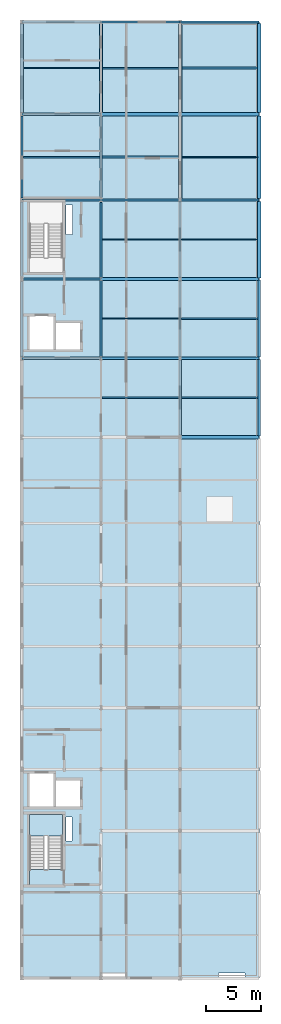
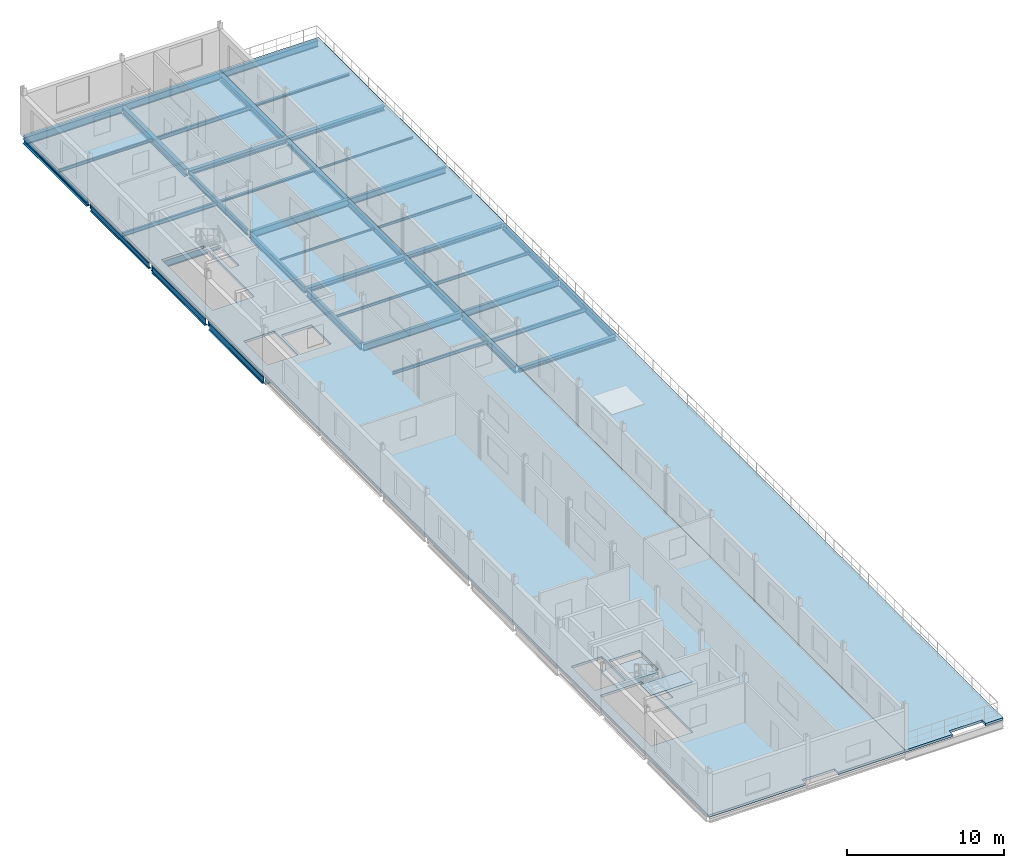
# One storey, part 6 of 14: 46 beams, 4 slabs, 1 element without a shape of its own.
"""IFC4 building model written with IfcOpenShell, lengths in metres."""

import ifcopenshell
import ifcopenshell.guid

model = None  # the IFC model being written
_history = None  # IfcOwnerHistory: only IFC2X3 demands one
_inside = {}  # id of a spatial element -> (the spatial element, [elements in it])
_under = {}  # id of a project, library or spatial element -> (it, [spatial elements below it])
_declared = {}  # id of a project -> (the project, [libraries it declares])
_typed = {}  # id of a type object -> (the type object, [elements of that type])
_made_of = {}  # id of a material, layer set ... -> (it, [elements and type objects made of it])


def new_model(schema):
    """Start an empty IFC model of exactly this schema.

    Asked for "IFC4X3", IfcOpenShell would pick the latest addendum, in which some entities
    have other attributes; the version numbers below select the first issue.
    IFC2X3 requires an IfcOwnerHistory on every rooted entity: one is made here for all.
    """
    global model, _history
    if schema == "IFC4X3":
        model = ifcopenshell.file(schema_version=(4, 3, 0, 0))
    else:
        model = ifcopenshell.file(schema=schema)
    _inside.clear()
    _under.clear()
    _declared.clear()
    _typed.clear()
    _made_of.clear()
    _history = None
    if model.schema == "IFC2X3":
        org = make("IfcOrganization", Name="unknown")
        user = make(
            "IfcPersonAndOrganization",
            ThePerson=make("IfcPerson", FamilyName="unknown"),
            TheOrganization=org,
        )
        app = make(
            "IfcApplication",
            ApplicationDeveloper=org,
            Version="unknown",
            ApplicationFullName="unknown",
            ApplicationIdentifier="unknown",
        )
        _history = make(
            "IfcOwnerHistory",
            OwningUser=user,
            OwningApplication=app,
            ChangeAction="ADDED",
            CreationDate=0,
        )
    return model


def make(cls, **values):
    """One entity of the class cls with the attributes given. An attribute that is None is left unset."""
    return model.create_entity(
        cls, **{name: value for name, value in values.items() if value is not None}
    )


def rooted(cls, **values):
    """An entity with a GlobalId (a new one), such as an element, a storey or a relation."""
    return make(cls, GlobalId=ifcopenshell.guid.new(), OwnerHistory=_history, **values)


def si_unit(unit_type, name, prefix=None):
    """IfcSIUnit, for example si_unit("LENGTHUNIT", "METRE", prefix="MILLI")."""
    return make("IfcSIUnit", UnitType=unit_type, Prefix=prefix, Name=name)


def assignment(units):
    """IfcUnitAssignment: the units of a project."""
    return None if units is None else make("IfcUnitAssignment", Units=units)


def point(xyz):
    """IfcCartesianPoint."""
    return None if xyz is None else make("IfcCartesianPoint", Coordinates=xyz)


def direction(xyz):
    """IfcDirection."""
    return None if xyz is None else make("IfcDirection", DirectionRatios=xyz)


def frame(location, z_axis=None, x_axis=None):
    """IfcAxis2Placement3D, a coordinate frame: its origin and axes. An axis left out is left unset."""
    return make(
        "IfcAxis2Placement3D",
        Location=point(location),
        Axis=direction(z_axis),
        RefDirection=direction(x_axis),
    )


def frame_2d(location, x_axis=None):
    """IfcAxis2Placement2D, a coordinate frame in the plane: its origin and x axis."""
    return make(
        "IfcAxis2Placement2D", Location=point(location), RefDirection=direction(x_axis)
    )


def origin():
    """The frame at (0, 0, 0) with its axes left unset."""
    return frame((0.0, 0.0, 0.0))


def origin_2d():
    """The frame at (0, 0) in the plane with its x axis left unset."""
    return frame_2d((0.0, 0.0))


def place(relative_to, where):
    """IfcLocalPlacement: puts the frame where relative to a parent placement (None: the world)."""
    return make(
        "IfcLocalPlacement", PlacementRelTo=relative_to, RelativePlacement=where
    )


def context(
    kind, dimensions, precision=None, world=None, true_north=None, identifier=None
):
    """IfcGeometricRepresentationContext, for example the 3D "Model" context."""
    return make(
        "IfcGeometricRepresentationContext",
        ContextIdentifier=identifier,
        ContextType=kind,
        CoordinateSpaceDimension=dimensions,
        Precision=precision,
        WorldCoordinateSystem=world,
        TrueNorth=true_north,
    )


def subcontext(parent, identifier, kind, view, scale=None):
    """IfcGeometricRepresentationSubContext, for example "Body" below "Model"."""
    return make(
        "IfcGeometricRepresentationSubContext",
        ContextIdentifier=identifier,
        ContextType=kind,
        ParentContext=parent,
        TargetScale=scale,
        TargetView=view,
    )


def project(units=None, contexts=None):
    """IfcProject with its units and contexts."""
    return rooted(
        "IfcProject",
        Name="project",
        RepresentationContexts=contexts,
        UnitsInContext=assignment(units),
    )


def spatial(cls, under=None, at=None, **own):
    """A site, building, storey or space (cls), placed at a placement, below another one or the project."""
    s = rooted(cls, ObjectPlacement=at, **own)
    if under is not None:
        _under.setdefault(under.id(), (under, []))[1].append(s)
    return s


def polyline(points):
    """IfcPolyline through the points."""
    return make("IfcPolyline", Points=[point(p) for p in points])


def profile(cls, at=None, kind="AREA", **sizes):
    """A parametric profile (cls). Its sizes go by their IFC names, for example OverallWidth=200.0."""
    return make(cls, ProfileType=kind, Position=at, **sizes)


def i_section(**sizes):
    """IfcIShapeProfileDef."""
    return profile("IfcIShapeProfileDef", **sizes)


def outline(outer, holes=None, kind="AREA"):
    """IfcArbitraryClosedProfileDef: a profile drawn as a closed curve; with holes, ...WithVoids."""
    if holes is None:
        return make("IfcArbitraryClosedProfileDef", ProfileType=kind, OuterCurve=outer)
    return make(
        "IfcArbitraryProfileDefWithVoids",
        ProfileType=kind,
        OuterCurve=outer,
        InnerCurves=holes,
    )


def extrude(swept, where, along, depth):
    """IfcExtrudedAreaSolid: the profile swept, set in the frame where, extruded along a direction by depth."""
    return make(
        "IfcExtrudedAreaSolid",
        SweptArea=swept,
        Position=where,
        ExtrudedDirection=direction(along),
        Depth=depth,
    )


def shape(context_of_items, identifier, shape_type, items):
    """IfcShapeRepresentation: the items that make up one representation, for example the "Body"."""
    return make(
        "IfcShapeRepresentation",
        ContextOfItems=context_of_items,
        RepresentationIdentifier=identifier,
        RepresentationType=shape_type,
        Items=items,
    )


def material(Name=None, Category=None):
    """IfcMaterial."""
    return make("IfcMaterial", Name=Name, Category=Category)


def layer(
    of_material, thickness, ventilated=None, Name=None, Category=None, Priority=None
):
    """IfcMaterialLayer: one layer of a wall or slab, of a material (None: an air gap)."""
    return make(
        "IfcMaterialLayer",
        Material=of_material,
        LayerThickness=thickness,
        IsVentilated=ventilated,
        Name=Name,
        Category=Category,
        Priority=Priority,
    )


def layer_set(layers, Name=None):
    """IfcMaterialLayerSet."""
    return make("IfcMaterialLayerSet", MaterialLayers=layers, LayerSetName=Name)


def material_profile(
    of_material, cross_section, Name=None, Category=None, Priority=None
):
    """IfcMaterialProfile: a cross section and its material."""
    return make(
        "IfcMaterialProfile",
        Name=Name,
        Material=of_material,
        Profile=cross_section,
        Priority=Priority,
        Category=Category,
    )


def profile_set(profiles, Name=None, composite=None):
    """IfcMaterialProfileSet."""
    return make(
        "IfcMaterialProfileSet",
        Name=Name,
        MaterialProfiles=profiles,
        CompositeProfile=composite,
    )


def made_of(thing, what):
    """Note that an element or type object is made of a material, layer set ...; save() writes the relation."""
    if what is not None:
        _made_of.setdefault(what.id(), (what, []))[1].append(thing)
    return thing


def type_object(cls, material=None, **own):
    """A type object (cls), such as IfcWallType, which elements share."""
    return made_of(rooted(cls, **own), material)


def element(
    cls,
    number,
    at=None,
    inside=None,
    cuts=None,
    type_object=None,
    material=None,
    context=None,
    identifier="Body",
    shape_type=None,
    held_by="IfcProductDefinitionShape",
    body=None,
    shapes=None,
    **own,
):
    """One element of the class cls, such as IfcWall. Its Tag is "e" and its number.

    at: its placement. inside: the storey or other place that contains it. cuts: it is an
    opening in that element (IfcRelVoidsElement). A single representation is given by context,
    identifier, shape_type and body (its items); several are given by shapes. held_by: the class
    of the entity that holds the representations. save() writes the other relations.
    """
    e = rooted(cls, Tag="e%d" % number, ObjectPlacement=at, **own)
    if body is not None:
        shapes = [shape(context, identifier, shape_type, body)]
    if shapes is not None:
        e.Representation = make(held_by, Representations=shapes)
    if inside is not None:
        _inside.setdefault(inside.id(), (inside, []))[1].append(e)
    if cuts is not None:
        rooted(
            "IfcRelVoidsElement", RelatingBuildingElement=cuts, RelatedOpeningElement=e
        )
    if type_object is not None:
        _typed.setdefault(type_object.id(), (type_object, []))[1].append(e)
    return made_of(e, material)


def aggregate(whole, parts):
    """IfcRelAggregates: a whole, such as a stair, and the parts it consists of."""
    return rooted("IfcRelAggregates", RelatingObject=whole, RelatedObjects=parts)


def save(model, path):
    """Write the relations noted so far, then the file.

    IfcRelAggregates (storeys below a building ...), IfcRelContainedInSpatialStructure (elements
    in a storey), IfcRelDefinesByType, IfcRelAssociatesMaterial and IfcRelDeclares: one each for
    every whole, place, type object, material and project.
    """
    for whole, parts in _under.values():
        aggregate(whole, parts)
    for where, things in _inside.values():
        rooted(
            "IfcRelContainedInSpatialStructure",
            RelatedElements=things,
            RelatingStructure=where,
        )
    for kind, things in _typed.values():
        rooted("IfcRelDefinesByType", RelatedObjects=things, RelatingType=kind)
    for what, things in _made_of.values():
        rooted("IfcRelAssociatesMaterial", RelatedObjects=things, RelatingMaterial=what)
    for by, libraries in _declared.values():
        rooted("IfcRelDeclares", RelatingContext=by, RelatedDefinitions=libraries)
    model.write(path)


model = new_model("IFC4")

# Units and contexts
model_context = context("Model", 3, precision=1e-05, world=origin(), true_north=direction((0.0, 1.0)))
body_context = subcontext(model_context, "Body", "Model", "MODEL_VIEW")
ifc_project = project(units=[si_unit("LENGTHUNIT", "METRE"), si_unit("AREAUNIT", "SQUARE_METRE"), si_unit("VOLUMEUNIT", "CUBIC_METRE"), si_unit("PLANEANGLEUNIT", "RADIAN"), si_unit("MASSUNIT", "GRAM", prefix="KILO")], contexts=[model_context])

# Site, building, storey
site_placement = place(None, origin())
site = spatial("IfcSite", under=ifc_project, at=site_placement, CompositionType="ELEMENT")
building_placement = place(site_placement, origin())
building = spatial("IfcBuilding", under=site, at=building_placement, Name="Vinh Khe Railworks Police Headquarters", CompositionType="ELEMENT")
storey_placement = place(building_placement, frame((0.0, 0.0, 32.699951171875)))
storey = spatial("IfcBuildingStorey", under=building, at=storey_placement, Name="L08", CompositionType="ELEMENT", Elevation=32.699951171875)

# Beams
ifc_material_1 = material(Name="Steel S355JR", Category="steel")
ifc_material_profile_1 = material_profile(ifc_material_1, i_section(OverallWidth=0.179931640625, OverallDepth=0.1708984375, WebThickness=0.006103515625, FlangeThickness=0.009521484375, FilletRadius=0.014892578125, at=origin_2d()), Name="HEA 180")
ifc_profile_set_1 = profile_set([ifc_material_profile_1], Name="Steel S355JR")
beam_type_1 = type_object("IfcBeamType", Name="Secondary Joist HEA 180", PredefinedType="JOIST", material=ifc_profile_set_1)
beam_1_placement = place(storey_placement, frame((7.89501953125, 92.10009765625, -0.265380859375), z_axis=(1.0, 0.0, 0.0), x_axis=(0.0, 1.0, 0.0)))
element("IfcBeam", 1, at=beam_1_placement, inside=storey, type_object=beam_type_1, Name="Secondary Joist JST-L08-SJ-10-0078", PredefinedType="JOIST", context=body_context, shape_type="SweptSolid", body=[
    extrude(i_section(OverallWidth=0.179931640625, OverallDepth=0.1708984375, WebThickness=0.006103515625, FlangeThickness=0.009521484375, FilletRadius=0.014892578125, at=origin_2d()), origin(), (0.0, 0.0, 1.0), 6.955078125),
])
beam_2_placement = place(storey_placement, frame((15.14990234375, 100.199951171875, -0.265380859375), z_axis=(1.0, 0.0, 0.0), x_axis=(0.0, 1.0, 0.0)))
element("IfcBeam", 2, at=beam_2_placement, inside=storey, type_object=beam_type_1, Name="Secondary Joist JST-L08-SJ-10-0086", PredefinedType="JOIST", context=body_context, shape_type="SweptSolid", body=[
    extrude(i_section(OverallWidth=0.179931640625, OverallDepth=0.1708984375, WebThickness=0.006103515625, FlangeThickness=0.009521484375, FilletRadius=0.014892578125, at=origin_2d()), origin(), (0.0, 0.0, 1.0), 6.900146484375),
])
ifc_material_profile_2 = material_profile(ifc_material_1, i_section(OverallWidth=0.08203125, OverallDepth=0.159912109375, WebThickness=0.0048828125, FlangeThickness=0.00732421875, FilletRadius=0.009033203125, at=origin_2d()), Name="IPE 160")
ifc_profile_set_2 = profile_set([ifc_material_profile_2], Name="Steel S355JR")
beam_type_2 = type_object("IfcBeamType", Name="Secondary Joist IPE 160", PredefinedType="JOIST", material=ifc_profile_set_2)
beam_3_placement = place(storey_placement, frame((7.89990234375, 84.60009765625, -0.260009765625), z_axis=(1.0, 0.0, 0.0), x_axis=(0.0, 1.0, 0.0)))
element("IfcBeam", 3, at=beam_3_placement, inside=storey, type_object=beam_type_2, Name="Secondary Joist JST-L08-SJ-08-0077", PredefinedType="JOIST", context=body_context, shape_type="SweptSolid", body=[
    extrude(i_section(OverallWidth=0.08203125, OverallDepth=0.159912109375, WebThickness=0.0048828125, FlangeThickness=0.00732421875, FilletRadius=0.009033203125, at=origin_2d()), origin(), (0.0, 0.0, 1.0), 7.005126953125),
])
beam_4_placement = place(storey_placement, frame((15.14990234375, 92.10009765625, -0.260009765625), z_axis=(1.0, 0.0, 0.0), x_axis=(0.0, 1.0, 0.0)))
element("IfcBeam", 4, at=beam_4_placement, inside=storey, type_object=beam_type_2, Name="Secondary Joist JST-L08-SJ-08-0085", PredefinedType="JOIST", context=body_context, shape_type="SweptSolid", body=[
    extrude(i_section(OverallWidth=0.08203125, OverallDepth=0.159912109375, WebThickness=0.0048828125, FlangeThickness=0.00732421875, FilletRadius=0.009033203125, at=origin_2d()), origin(), (0.0, 0.0, 1.0), 6.900146484375),
])
ifc_material_profile_3 = material_profile(ifc_material_1, i_section(OverallWidth=0.10009765625, OverallDepth=0.199951171875, WebThickness=0.005615234375, FlangeThickness=0.008544921875, FilletRadius=0.011962890625, at=origin_2d()), Name="IPE 200")
ifc_profile_set_3 = profile_set([ifc_material_profile_3], Name="Steel S355JR")
beam_type_3 = type_object("IfcBeamType", Name="Secondary Joist IPE 200", PredefinedType="JOIST", material=ifc_profile_set_3)
beam_5_placement = place(storey_placement, frame((7.905029296875, 77.39990234375, -0.280029296875), z_axis=(1.0, 0.0, 0.0), x_axis=(0.0, 1.0, 0.0)))
element("IfcBeam", 5, at=beam_5_placement, inside=storey, type_object=beam_type_3, Name="Secondary Joist JST-L08-SJ-06-0076", PredefinedType="JOIST", context=body_context, shape_type="SweptSolid", body=[
    extrude(i_section(OverallWidth=0.10009765625, OverallDepth=0.199951171875, WebThickness=0.005615234375, FlangeThickness=0.008544921875, FilletRadius=0.011962890625, at=origin_2d()), origin(), (0.0, 0.0, 1.0), 6.994873046875),
])
beam_6_placement = place(storey_placement, frame((15.094970703125, 84.60009765625, -0.280029296875), z_axis=(1.0, 0.0, 0.0), x_axis=(0.0, 1.0, 0.0)))
element("IfcBeam", 6, at=beam_6_placement, inside=storey, type_object=beam_type_3, Name="Secondary Joist JST-L08-SJ-06-0084", PredefinedType="JOIST", context=body_context, shape_type="SweptSolid", body=[
    extrude(i_section(OverallWidth=0.10009765625, OverallDepth=0.199951171875, WebThickness=0.005615234375, FlangeThickness=0.008544921875, FilletRadius=0.011962890625, at=origin_2d()), origin(), (0.0, 0.0, 1.0), 6.955078125),
])
ifc_material_profile_4 = material_profile(ifc_material_1, i_section(OverallWidth=0.1201171875, OverallDepth=0.239990234375, WebThickness=0.006103515625, FlangeThickness=0.009765625, FilletRadius=0.014892578125, at=origin_2d()), Name="IPE 240")
ifc_profile_set_4 = profile_set([ifc_material_profile_4], Name="Steel S355JR")
beam_type_4 = type_object("IfcBeamType", Name="Secondary Joist IPE 240", PredefinedType="JOIST", material=ifc_profile_set_4)
beam_7_placement = place(storey_placement, frame((0.75, 100.199951171875, -0.300048828125), z_axis=(1.0, 0.0, 0.0), x_axis=(0.0, 1.0, 0.0)))
element("IfcBeam", 7, at=beam_7_placement, inside=storey, type_object=beam_type_4, Name="Secondary Joist JST-L08-SJ-04-0072", PredefinedType="JOIST", context=body_context, shape_type="SweptSolid", body=[
    extrude(i_section(OverallWidth=0.1201171875, OverallDepth=0.239990234375, WebThickness=0.006103515625, FlangeThickness=0.009765625, FilletRadius=0.014892578125, at=origin_2d()), origin(), (0.0, 0.0, 1.0), 6.89990234375),
])
beam_8_placement = place(storey_placement, frame((7.909912109375, 70.199951171875, -0.300048828125), z_axis=(1.0, 0.0, 0.0), x_axis=(0.0, 1.0, 0.0)))
element("IfcBeam", 8, at=beam_8_placement, inside=storey, type_object=beam_type_4, Name="Secondary Joist JST-L08-SJ-04-0075", PredefinedType="JOIST", context=body_context, shape_type="SweptSolid", body=[
    extrude(i_section(OverallWidth=0.1201171875, OverallDepth=0.239990234375, WebThickness=0.006103515625, FlangeThickness=0.009765625, FilletRadius=0.014892578125, at=origin_2d()), origin(), (0.0, 0.0, 1.0), 6.985107421875),
])
beam_9_placement = place(storey_placement, frame((15.10009765625, 77.39990234375, -0.300048828125), z_axis=(1.0, 0.0, 0.0), x_axis=(0.0, 1.0, 0.0)))
element("IfcBeam", 9, at=beam_9_placement, inside=storey, type_object=beam_type_4, Name="Secondary Joist JST-L08-SJ-04-0083", PredefinedType="JOIST", context=body_context, shape_type="SweptSolid", body=[
    extrude(i_section(OverallWidth=0.1201171875, OverallDepth=0.239990234375, WebThickness=0.006103515625, FlangeThickness=0.009765625, FilletRadius=0.014892578125, at=origin_2d()), origin(), (0.0, 0.0, 1.0), 7.0048828125),
])
ifc_material_profile_5 = material_profile(ifc_material_1, i_section(OverallWidth=0.14990234375, OverallDepth=0.300048828125, WebThickness=0.007080078125, FlangeThickness=0.0107421875, FilletRadius=0.014892578125, at=origin_2d()), Name="IPE 300")
ifc_profile_set_5 = profile_set([ifc_material_profile_5], Name="Steel S355JR")
beam_type_5 = type_object("IfcBeamType", Name="Secondary Joist IPE 300", PredefinedType="JOIST", material=ifc_profile_set_5)
beam_10_placement = place(storey_placement, frame((0.699951171875, 92.10009765625, -0.329833984375), z_axis=(1.0, 0.0, 0.0), x_axis=(0.0, 1.0, 0.0)))
element("IfcBeam", 10, at=beam_10_placement, inside=storey, type_object=beam_type_5, Name="Secondary Joist JST-L08-SJ-02-0071", PredefinedType="JOIST", context=body_context, shape_type="SweptSolid", body=[
    extrude(i_section(OverallWidth=0.14990234375, OverallDepth=0.300048828125, WebThickness=0.007080078125, FlangeThickness=0.0107421875, FilletRadius=0.014892578125, at=origin_2d()), origin(), (0.0, 0.0, 1.0), 7.005126953125),
])
beam_11_placement = place(storey_placement, frame((7.949951171875, 100.199951171875, -0.329833984375), z_axis=(1.0, 0.0, 0.0), x_axis=(0.0, 1.0, 0.0)))
element("IfcBeam", 11, at=beam_11_placement, inside=storey, type_object=beam_type_5, Name="Secondary Joist JST-L08-SJ-02-0079", PredefinedType="JOIST", context=body_context, shape_type="SweptSolid", body=[
    extrude(i_section(OverallWidth=0.14990234375, OverallDepth=0.300048828125, WebThickness=0.007080078125, FlangeThickness=0.0107421875, FilletRadius=0.014892578125, at=origin_2d()), origin(), (0.0, 0.0, 1.0), 6.900146484375),
])
beam_12_placement = place(storey_placement, frame((15.10498046875, 70.199951171875, -0.329833984375), z_axis=(1.0, 0.0, 0.0), x_axis=(0.0, 1.0, 0.0)))
element("IfcBeam", 12, at=beam_12_placement, inside=storey, type_object=beam_type_5, Name="Secondary Joist JST-L08-SJ-02-0082", PredefinedType="JOIST", context=body_context, shape_type="SweptSolid", body=[
    extrude(i_section(OverallWidth=0.14990234375, OverallDepth=0.300048828125, WebThickness=0.007080078125, FlangeThickness=0.0107421875, FilletRadius=0.014892578125, at=origin_2d()), origin(), (0.0, 0.0, 1.0), 6.9951171875),
])
ifc_material_profile_6 = material_profile(ifc_material_1, i_section(OverallWidth=0.300048828125, OverallDepth=0.330078125, WebThickness=0.009521484375, FlangeThickness=0.0166015625, FilletRadius=0.027099609375, at=origin_2d()), Name="HEA 340")
ifc_profile_set_6 = profile_set([ifc_material_profile_6], Name="Steel S355JR")
beam_type_6 = type_object("IfcBeamType", Name="Steel Girder HEA 340", PredefinedType="BEAM", material=ifc_profile_set_6)
for number, where, z_axis, x_axis, name in (
    (13, (15.02001953125, 66.60009765625, -0.344970703125), (1.0, 0.0, 0.0), (0.0, 1.0, 0.0), "Girder BM-L08-EW-SB-16-1958"),
    (14, (15.02001953125, 81.0, -0.344970703125), (1.0, 0.0, 0.0), (0.0, 1.0, 0.0), "Girder BM-L08-EW-SB-16-1964"),
    (15, (15.02001953125, 96.0, -0.344970703125), (1.0, 0.0, 0.0), (0.0, 1.0, 0.0), "Girder BM-L08-EW-SB-16-1970"),
):
    element("IfcBeam", number, at=place(storey_placement, frame(where, z_axis=z_axis, x_axis=x_axis)), inside=storey, type_object=beam_type_6, Name=name, PredefinedType="BEAM", context=body_context, shape_type="SweptSolid", body=[
        extrude(i_section(OverallWidth=0.300048828125, OverallDepth=0.330078125, WebThickness=0.009521484375, FlangeThickness=0.0166015625, FilletRadius=0.027099609375, at=origin_2d()), origin(), (0.0, 0.0, 1.0), 7.159912109375),
    ])
beam_13_placement = place(storey_placement, frame((22.199951171875, 88.35498046875, -0.344970703125), z_axis=(0.0, 1.0, 0.0), x_axis=(-1.0, 0.0, 0.0)))
element("IfcBeam", 16, at=beam_13_placement, inside=storey, type_object=beam_type_6, Name="Girder BM-L08-NS-SB-16-2024", PredefinedType="BEAM", context=body_context, shape_type="SweptSolid", body=[
    extrude(i_section(OverallWidth=0.300048828125, OverallDepth=0.330078125, WebThickness=0.009521484375, FlangeThickness=0.0166015625, FilletRadius=0.027099609375, at=origin_2d()), origin(), (0.0, 0.0, 1.0), 7.5),
])
ifc_material_profile_7 = material_profile(ifc_material_1, i_section(OverallWidth=0.300048828125, OverallDepth=0.35009765625, WebThickness=0.010009765625, FlangeThickness=0.017578125, FilletRadius=0.027099609375, at=origin_2d()), Name="HEA 360")
ifc_profile_set_7 = profile_set([ifc_material_profile_7], Name="Steel S355JR")
beam_type_7 = type_object("IfcBeamType", Name="Steel Girder HEA 360", PredefinedType="BEAM", material=ifc_profile_set_7)
for number, where, z_axis, x_axis, name in (
    (17, (7.820068359375, 81.0, -0.35498046875), (1.0, 0.0, 0.0), (0.0, 1.0, 0.0), "Girder BM-L08-EW-SB-15-1963"),
    (18, (7.820068359375, 96.0, -0.35498046875), (1.0, 0.0, 0.0), (0.0, 1.0, 0.0), "Girder BM-L08-EW-SB-15-1969"),
):
    element("IfcBeam", number, at=place(storey_placement, frame(where, z_axis=z_axis, x_axis=x_axis)), inside=storey, type_object=beam_type_7, Name=name, PredefinedType="BEAM", context=body_context, shape_type="SweptSolid", body=[
        extrude(i_section(OverallWidth=0.300048828125, OverallDepth=0.35009765625, WebThickness=0.010009765625, FlangeThickness=0.017578125, FilletRadius=0.027099609375, at=origin_2d()), origin(), (0.0, 0.0, 1.0), 7.159912109375),
    ])
beam_14_placement = place(storey_placement, frame((0.60009765625, 96.175048828125, -0.35498046875), z_axis=(0.0, 1.0, 0.0), x_axis=(-1.0, 0.0, 0.0)))
element("IfcBeam", 19, at=beam_14_placement, inside=storey, type_object=beam_type_7, Name="Girder BM-L08-NS-SB-15-1986", PredefinedType="BEAM", context=body_context, shape_type="SweptSolid", body=[
    extrude(i_section(OverallWidth=0.300048828125, OverallDepth=0.35009765625, WebThickness=0.010009765625, FlangeThickness=0.017578125, FilletRadius=0.027099609375, at=origin_2d()), origin(), (0.0, 0.0, 1.0), 8.094970703125),
])
beam_15_placement = place(storey_placement, frame((15.0, 88.31005859375, -0.35498046875), z_axis=(0.0, 1.0, 0.0), x_axis=(-1.0, 0.0, 0.0)))
element("IfcBeam", 20, at=beam_15_placement, inside=storey, type_object=beam_type_7, Name="Girder BM-L08-NS-SB-15-2011", PredefinedType="BEAM", context=body_context, shape_type="SweptSolid", body=[
    extrude(i_section(OverallWidth=0.300048828125, OverallDepth=0.35009765625, WebThickness=0.010009765625, FlangeThickness=0.017578125, FilletRadius=0.027099609375, at=origin_2d()), origin(), (0.0, 0.0, 1.0), 7.46484375),
])
beam_16_placement = place(storey_placement, frame((22.199951171875, 81.094970703125, -0.35498046875), z_axis=(0.0, 1.0, 0.0), x_axis=(-1.0, 0.0, 0.0)))
element("IfcBeam", 21, at=beam_16_placement, inside=storey, type_object=beam_type_7, Name="Girder BM-L08-NS-SB-15-2023", PredefinedType="BEAM", context=body_context, shape_type="SweptSolid", body=[
    extrude(i_section(OverallWidth=0.300048828125, OverallDepth=0.35009765625, WebThickness=0.010009765625, FlangeThickness=0.017578125, FilletRadius=0.027099609375, at=origin_2d()), origin(), (0.0, 0.0, 1.0), 6.949951171875),
])
ifc_material_profile_8 = material_profile(ifc_material_1, i_section(OverallWidth=0.300048828125, OverallDepth=0.489990234375, WebThickness=0.011962890625, FlangeThickness=0.02294921875, FilletRadius=0.027099609375, at=origin_2d()), Name="HEA 500")
ifc_profile_set_8 = profile_set([ifc_material_profile_8], Name="Steel S355JR")
beam_type_8 = type_object("IfcBeamType", Name="Steel Girder HEA 500", PredefinedType="BEAM", material=ifc_profile_set_8)
beam_17_placement = place(storey_placement, frame((22.199951171875, 96.14501953125, -0.425048828125), z_axis=(0.0, 1.0, 0.0), x_axis=(-1.0, 0.0, 0.0)))
element("IfcBeam", 22, at=beam_17_placement, inside=storey, type_object=beam_type_8, Name="Girder BM-L08-NS-SB-12-2025", PredefinedType="BEAM", context=body_context, shape_type="SweptSolid", body=[
    extrude(i_section(OverallWidth=0.300048828125, OverallDepth=0.489990234375, WebThickness=0.011962890625, FlangeThickness=0.02294921875, FilletRadius=0.027099609375, at=origin_2d()), origin(), (0.0, 0.0, 1.0), 8.1298828125),
])
ifc_material_profile_9 = material_profile(ifc_material_1, i_section(OverallWidth=0.300048828125, OverallDepth=0.5400390625, WebThickness=0.012451171875, FlangeThickness=0.02392578125, FilletRadius=0.027099609375, at=origin_2d()), Name="HEA 550")
ifc_profile_set_9 = profile_set([ifc_material_profile_9], Name="Steel S355JR")
beam_type_9 = type_object("IfcBeamType", Name="Steel Girder HEA 550", PredefinedType="BEAM", material=ifc_profile_set_9)
beam_18_placement = place(storey_placement, frame((15.0, 96.22509765625, -0.449951171875), z_axis=(0.0, 1.0, 0.0), x_axis=(-1.0, 0.0, 0.0)))
element("IfcBeam", 23, at=beam_18_placement, inside=storey, type_object=beam_type_9, Name="Girder BM-L08-NS-SB-11-2012", PredefinedType="BEAM", context=body_context, shape_type="SweptSolid", body=[
    extrude(i_section(OverallWidth=0.300048828125, OverallDepth=0.5400390625, WebThickness=0.012451171875, FlangeThickness=0.02392578125, FilletRadius=0.027099609375, at=origin_2d()), origin(), (0.0, 0.0, 1.0), 7.974853515625),
])
ifc_material_profile_10 = material_profile(ifc_material_1, i_section(OverallWidth=0.300048828125, OverallDepth=0.590087890625, WebThickness=0.012939453125, FlangeThickness=0.02490234375, FilletRadius=0.027099609375, at=origin_2d()), Name="HEA 600")
ifc_profile_set_10 = profile_set([ifc_material_profile_10], Name="Steel S355JR")
beam_type_10 = type_object("IfcBeamType", Name="Steel Girder HEA 600", PredefinedType="BEAM", material=ifc_profile_set_10)
beam_19_placement = place(storey_placement, frame((7.800048828125, 96.199951171875, -0.474853515625), z_axis=(0.0, 1.0, 0.0), x_axis=(-1.0, 0.0, 0.0)))
element("IfcBeam", 24, at=beam_19_placement, inside=storey, type_object=beam_type_10, Name="Girder BM-L08-NS-SB-10-1999", PredefinedType="BEAM", context=body_context, shape_type="SweptSolid", body=[
    extrude(i_section(OverallWidth=0.300048828125, OverallDepth=0.590087890625, WebThickness=0.012939453125, FlangeThickness=0.02490234375, FilletRadius=0.027099609375, at=origin_2d()), origin(), (0.0, 0.0, 1.0), 8.025146484375),
])
ifc_material_profile_11 = material_profile(ifc_material_1, i_section(OverallWidth=0.18994140625, OverallDepth=0.449951171875, WebThickness=0.009521484375, FlangeThickness=0.0146484375, FilletRadius=0.02099609375, at=origin_2d()), Name="IPE 450")
ifc_profile_set_11 = profile_set([ifc_material_profile_11], Name="Steel S355JR")
beam_type_11 = type_object("IfcBeamType", Name="Steel Girder IPE 450", PredefinedType="BEAM", material=ifc_profile_set_11)
for number, where, z_axis, x_axis, name in (
    (25, (0.6201171875, 81.0, -0.405029296875), (1.0, 0.0, 0.0), (0.0, 1.0, 0.0), "Girder BM-L08-EW-SB-20-1962"),
    (26, (0.6201171875, 96.0, -0.405029296875), (1.0, 0.0, 0.0), (0.0, 1.0, 0.0), "Girder BM-L08-EW-SB-20-1968"),
):
    element("IfcBeam", number, at=place(storey_placement, frame(where, z_axis=z_axis, x_axis=x_axis)), inside=storey, type_object=beam_type_11, Name=name, PredefinedType="BEAM", context=body_context, shape_type="SweptSolid", body=[
        extrude(i_section(OverallWidth=0.18994140625, OverallDepth=0.449951171875, WebThickness=0.009521484375, FlangeThickness=0.0146484375, FilletRadius=0.02099609375, at=origin_2d()), origin(), (0.0, 0.0, 1.0), 7.159912109375),
    ])
beam_20_placement = place(storey_placement, frame((7.800048828125, 88.425048828125, -0.405029296875), z_axis=(0.0, 1.0, 0.0), x_axis=(-1.0, 0.0, 0.0)))
element("IfcBeam", 27, at=beam_20_placement, inside=storey, type_object=beam_type_11, Name="Girder BM-L08-NS-SB-20-1998", PredefinedType="BEAM", context=body_context, shape_type="SweptSolid", body=[
    extrude(i_section(OverallWidth=0.18994140625, OverallDepth=0.449951171875, WebThickness=0.009521484375, FlangeThickness=0.0146484375, FilletRadius=0.02099609375, at=origin_2d()), origin(), (0.0, 0.0, 1.0), 7.375),
])
beam_21_placement = place(storey_placement, frame((15.0, 81.1298828125, -0.405029296875), z_axis=(0.0, 1.0, 0.0), x_axis=(-1.0, 0.0, 0.0)))
element("IfcBeam", 28, at=beam_21_placement, inside=storey, type_object=beam_type_11, Name="Girder BM-L08-NS-SB-20-2010", PredefinedType="BEAM", context=body_context, shape_type="SweptSolid", body=[
    extrude(i_section(OverallWidth=0.18994140625, OverallDepth=0.449951171875, WebThickness=0.009521484375, FlangeThickness=0.0146484375, FilletRadius=0.02099609375, at=origin_2d()), origin(), (0.0, 0.0, 1.0), 6.960205078125),
])
beam_22_placement = place(storey_placement, frame((22.199951171875, 73.9150390625, -0.405029296875), z_axis=(0.0, 1.0, 0.0), x_axis=(-1.0, 0.0, 0.0)))
element("IfcBeam", 29, at=beam_22_placement, inside=storey, type_object=beam_type_11, Name="Girder BM-L08-NS-SB-20-2022", PredefinedType="BEAM", context=body_context, shape_type="SweptSolid", body=[
    extrude(i_section(OverallWidth=0.18994140625, OverallDepth=0.449951171875, WebThickness=0.009521484375, FlangeThickness=0.0146484375, FilletRadius=0.02099609375, at=origin_2d()), origin(), (0.0, 0.0, 1.0), 6.989990234375),
])
ifc_material_profile_12 = material_profile(ifc_material_1, i_section(OverallWidth=0.199951171875, OverallDepth=0.5, WebThickness=0.01025390625, FlangeThickness=0.01611328125, FilletRadius=0.02099609375, at=origin_2d()), Name="IPE 500")
ifc_profile_set_12 = profile_set([ifc_material_profile_12], Name="Steel S355JR")
beam_type_12 = type_object("IfcBeamType", Name="Steel Girder IPE 500", PredefinedType="BEAM", material=ifc_profile_set_12)
for number, where, z_axis, x_axis, name in (
    (30, (15.02001953125, 73.800048828125, -0.429931640625), (1.0, 0.0, 0.0), (0.0, 1.0, 0.0), "Girder BM-L08-EW-SB-19-1961"),
    (31, (15.02001953125, 88.199951171875, -0.429931640625), (1.0, 0.0, 0.0), (0.0, 1.0, 0.0), "Girder BM-L08-EW-SB-19-1967"),
    (32, (15.02001953125, 104.39990234375, -0.429931640625), (1.0, 0.0, 0.0), (0.0, 1.0, 0.0), "Girder BM-L08-EW-SB-19-1973"),
):
    element("IfcBeam", number, at=place(storey_placement, frame(where, z_axis=z_axis, x_axis=x_axis)), inside=storey, type_object=beam_type_12, Name=name, PredefinedType="BEAM", context=body_context, shape_type="SweptSolid", body=[
        extrude(i_section(OverallWidth=0.199951171875, OverallDepth=0.5, WebThickness=0.01025390625, FlangeThickness=0.01611328125, FilletRadius=0.02099609375, at=origin_2d()), origin(), (0.0, 0.0, 1.0), 7.159912109375),
    ])
beam_23_placement = place(storey_placement, frame((0.60009765625, 88.39990234375, -0.429931640625), z_axis=(0.0, 1.0, 0.0), x_axis=(-1.0, 0.0, 0.0)))
element("IfcBeam", 33, at=beam_23_placement, inside=storey, type_object=beam_type_12, Name="Girder BM-L08-NS-SB-19-1985", PredefinedType="BEAM", context=body_context, shape_type="SweptSolid", body=[
    extrude(i_section(OverallWidth=0.199951171875, OverallDepth=0.5, WebThickness=0.01025390625, FlangeThickness=0.01611328125, FilletRadius=0.02099609375, at=origin_2d()), origin(), (0.0, 0.0, 1.0), 7.425048828125),
])
beam_24_placement = place(storey_placement, frame((7.800048828125, 81.110107421875, -0.429931640625), z_axis=(0.0, 1.0, 0.0), x_axis=(-1.0, 0.0, 0.0)))
element("IfcBeam", 34, at=beam_24_placement, inside=storey, type_object=beam_type_12, Name="Girder BM-L08-NS-SB-19-1997", PredefinedType="BEAM", context=body_context, shape_type="SweptSolid", body=[
    extrude(i_section(OverallWidth=0.199951171875, OverallDepth=0.5, WebThickness=0.01025390625, FlangeThickness=0.01611328125, FilletRadius=0.02099609375, at=origin_2d()), origin(), (0.0, 0.0, 1.0), 6.864990234375),
])
beam_25_placement = place(storey_placement, frame((15.0, 73.97509765625, -0.429931640625), z_axis=(0.0, 1.0, 0.0), x_axis=(-1.0, 0.0, 0.0)))
element("IfcBeam", 35, at=beam_25_placement, inside=storey, type_object=beam_type_12, Name="Girder BM-L08-NS-SB-19-2009", PredefinedType="BEAM", context=body_context, shape_type="SweptSolid", body=[
    extrude(i_section(OverallWidth=0.199951171875, OverallDepth=0.5, WebThickness=0.01025390625, FlangeThickness=0.01611328125, FilletRadius=0.02099609375, at=origin_2d()), origin(), (0.0, 0.0, 1.0), 6.89501953125),
])
beam_26_placement = place(storey_placement, frame((22.199951171875, 66.72509765625, -0.429931640625), z_axis=(0.0, 1.0, 0.0), x_axis=(-1.0, 0.0, 0.0)))
element("IfcBeam", 36, at=beam_26_placement, inside=storey, type_object=beam_type_12, Name="Girder BM-L08-NS-SB-19-2021", PredefinedType="BEAM", context=body_context, shape_type="SweptSolid", body=[
    extrude(i_section(OverallWidth=0.199951171875, OverallDepth=0.5, WebThickness=0.01025390625, FlangeThickness=0.01611328125, FilletRadius=0.02099609375, at=origin_2d()), origin(), (0.0, 0.0, 1.0), 6.9599609375),
])
ifc_material_profile_13 = material_profile(ifc_material_1, i_section(OverallWidth=0.2099609375, OverallDepth=0.550048828125, WebThickness=0.010986328125, FlangeThickness=0.01708984375, FilletRadius=0.02392578125, at=origin_2d()), Name="IPE 550")
ifc_profile_set_13 = profile_set([ifc_material_profile_13], Name="Steel S355JR")
beam_type_13 = type_object("IfcBeamType", Name="Steel Girder IPE 550", PredefinedType="BEAM", material=ifc_profile_set_13)
for number, where, z_axis, x_axis, name in (
    (37, (7.820068359375, 73.800048828125, -0.454833984375), (1.0, 0.0, 0.0), (0.0, 1.0, 0.0), "Girder BM-L08-EW-SB-18-1960"),
    (38, (7.820068359375, 88.199951171875, -0.454833984375), (1.0, 0.0, 0.0), (0.0, 1.0, 0.0), "Girder BM-L08-EW-SB-18-1966"),
    (39, (7.820068359375, 104.39990234375, -0.454833984375), (1.0, 0.0, 0.0), (0.0, 1.0, 0.0), "Girder BM-L08-EW-SB-18-1972"),
):
    element("IfcBeam", number, at=place(storey_placement, frame(where, z_axis=z_axis, x_axis=x_axis)), inside=storey, type_object=beam_type_13, Name=name, PredefinedType="BEAM", context=body_context, shape_type="SweptSolid", body=[
        extrude(i_section(OverallWidth=0.2099609375, OverallDepth=0.550048828125, WebThickness=0.010986328125, FlangeThickness=0.01708984375, FilletRadius=0.02392578125, at=origin_2d()), origin(), (0.0, 0.0, 1.0), 7.159912109375),
    ])
beam_27_placement = place(storey_placement, frame((0.60009765625, 81.22509765625, -0.454833984375), z_axis=(0.0, 1.0, 0.0), x_axis=(-1.0, 0.0, 0.0)))
element("IfcBeam", 40, at=beam_27_placement, inside=storey, type_object=beam_type_13, Name="Girder BM-L08-NS-SB-18-1984", PredefinedType="BEAM", context=body_context, shape_type="SweptSolid", body=[
    extrude(i_section(OverallWidth=0.2099609375, OverallDepth=0.550048828125, WebThickness=0.010986328125, FlangeThickness=0.01708984375, FilletRadius=0.02392578125, at=origin_2d()), origin(), (0.0, 0.0, 1.0), 6.77490234375),
])
beam_28_placement = place(storey_placement, frame((7.800048828125, 73.929931640625, -0.454833984375), z_axis=(0.0, 1.0, 0.0), x_axis=(-1.0, 0.0, 0.0)))
element("IfcBeam", 41, at=beam_28_placement, inside=storey, type_object=beam_type_13, Name="Girder BM-L08-NS-SB-18-1996", PredefinedType="BEAM", context=body_context, shape_type="SweptSolid", body=[
    extrude(i_section(OverallWidth=0.2099609375, OverallDepth=0.550048828125, WebThickness=0.010986328125, FlangeThickness=0.01708984375, FilletRadius=0.02392578125, at=origin_2d()), origin(), (0.0, 0.0, 1.0), 6.9599609375),
])
beam_29_placement = place(storey_placement, frame((15.0, 66.800048828125, -0.454833984375), z_axis=(0.0, 1.0, 0.0), x_axis=(-1.0, 0.0, 0.0)))
element("IfcBeam", 42, at=beam_29_placement, inside=storey, type_object=beam_type_13, Name="Girder BM-L08-NS-SB-18-2008", PredefinedType="BEAM", context=body_context, shape_type="SweptSolid", body=[
    extrude(i_section(OverallWidth=0.2099609375, OverallDepth=0.550048828125, WebThickness=0.010986328125, FlangeThickness=0.01708984375, FilletRadius=0.02392578125, at=origin_2d()), origin(), (0.0, 0.0, 1.0), 6.824951171875),
])
ifc_material_profile_14 = material_profile(ifc_material_1, i_section(OverallWidth=0.219970703125, OverallDepth=0.60009765625, WebThickness=0.011962890625, FlangeThickness=0.01904296875, FilletRadius=0.02392578125, at=origin_2d()), Name="IPE 600")
ifc_profile_set_14 = profile_set([ifc_material_profile_14], Name="Steel S355JR")
beam_type_14 = type_object("IfcBeamType", Name="Steel Girder IPE 600", PredefinedType="BEAM", material=ifc_profile_set_14)
for number, where, z_axis, x_axis, name in (
    (43, (0.6201171875, 73.800048828125, -0.47998046875), (1.0, 0.0, 0.0), (0.0, 1.0, 0.0), "Girder BM-L08-EW-SB-17-1959"),
    (44, (0.6201171875, 88.199951171875, -0.47998046875), (1.0, 0.0, 0.0), (0.0, 1.0, 0.0), "Girder BM-L08-EW-SB-17-1965"),
    (45, (0.6201171875, 104.39990234375, -0.47998046875), (1.0, 0.0, 0.0), (0.0, 1.0, 0.0), "Girder BM-L08-EW-SB-17-1971"),
):
    element("IfcBeam", number, at=place(storey_placement, frame(where, z_axis=z_axis, x_axis=x_axis)), inside=storey, type_object=beam_type_14, Name=name, PredefinedType="BEAM", context=body_context, shape_type="SweptSolid", body=[
        extrude(i_section(OverallWidth=0.219970703125, OverallDepth=0.60009765625, WebThickness=0.011962890625, FlangeThickness=0.01904296875, FilletRadius=0.02392578125, at=origin_2d()), origin(), (0.0, 0.0, 1.0), 7.159912109375),
    ])
beam_30_placement = place(storey_placement, frame((0.60009765625, 73.909912109375, -0.47998046875), z_axis=(0.0, 1.0, 0.0), x_axis=(-1.0, 0.0, 0.0)))
element("IfcBeam", 46, at=beam_30_placement, inside=storey, type_object=beam_type_14, Name="Girder BM-L08-NS-SB-17-1983", PredefinedType="BEAM", context=body_context, shape_type="SweptSolid", body=[
    extrude(i_section(OverallWidth=0.219970703125, OverallDepth=0.60009765625, WebThickness=0.011962890625, FlangeThickness=0.01904296875, FilletRadius=0.02392578125, at=origin_2d()), origin(), (0.0, 0.0, 1.0), 6.864990234375),
])

# Slab
ifc_material_2 = material(Name="Concrete C35/45 (B35)", Category="concrete")
ifc_layer_1 = layer(ifc_material_2, 0.179931640625)
ifc_layer_set_1 = layer_set([ifc_layer_1], Name="Concrete C35/45 (B35)")
slab_type_1 = type_object("IfcSlabType", Name="Flat Structural Roof Slab 180", PredefinedType="ROOF", material=ifc_layer_set_1)
slab_1_placement = place(storey_placement, frame((0.0, 0.0, -0.179931640625)))
element("IfcSlab", 47, at=slab_1_placement, inside=storey, type_object=slab_type_1, Name="V5-E-TERR Roof Slab (L08)", PredefinedType="ROOF", context=body_context, shape_type="SweptSolid", body=[
    extrude(outline(polyline([(15.010009765625, 17.39990234375), (18.5048828125, 17.39990234375), (18.5048828125, 17.85009765625), (20.905029296875, 17.85009765625), (20.905029296875, 17.39990234375), (22.199951171875, 17.39990234375), (22.199951171875, 104.39990234375), (15.010009765625, 104.39990234375), (15.010009765625, 17.39990234375)])), origin(), (0.0, 0.0, 1.0), 0.179931640625),
])

# Stair, slabs
ifc_material_3 = material(Name="Precast concrete C40/50 (B40)", Category="concrete")
stair_type = type_object("IfcStairType", Name="ST-CORE-DOGLEG", PredefinedType="HALF_TURN_STAIR", material=ifc_material_3)
stair_placement = place(storey_placement, origin())
stair = element("IfcStair", 48, at=stair_placement, inside=storey, type_object=stair_type, Name="L08 Escape Stair ST-01", PredefinedType="HALF_TURN_STAIR")
ifc_layer_2 = layer(ifc_material_2, 0.199951171875)
ifc_layer_set_2 = layer_set([ifc_layer_2], Name="Concrete C35/45 (B35)")
slab_type_2 = type_object("IfcSlabType", Name="SLB-LAND-200", PredefinedType="LANDING", material=ifc_layer_set_2)
slab_2_placement = place(storey_placement, frame((0.0, 0.0, 1.75)))
slab_2 = element("IfcSlab", 49, at=slab_2_placement, type_object=slab_type_2, Name="ST-01 landing 1", PredefinedType="LANDING", context=body_context, shape_type="SweptSolid", body=[
    extrude(outline(polyline([(4.300048828125, 30.330078125), (4.300048828125, 32.300048828125), (1.300048828125, 32.300048828125), (1.300048828125, 30.330078125), (4.300048828125, 30.330078125)])), origin(), (0.0, 0.0, 1.0), 0.199951171875),
])
slab_3_placement = place(storey_placement, frame((0.0, 0.0, 3.699951171875)))
slab_3 = element("IfcSlab", 50, at=slab_3_placement, type_object=slab_type_2, Name="ST-01 landing 2", PredefinedType="LANDING", context=body_context, shape_type="SweptSolid", body=[
    extrude(outline(polyline([(1.280029296875, 25.8798828125), (4.320068359375, 25.8798828125), (4.320068359375, 27.260009765625), (1.280029296875, 27.260009765625), (1.280029296875, 25.8798828125)])), origin(), (0.0, 0.0, 1.0), 0.2001953125),
])
aggregate(stair, [slab_2, slab_3])

# Slab
ifc_layer_3 = layer(ifc_material_2, 0.179931640625)
ifc_layer_set_3 = layer_set([ifc_layer_3], Name="Concrete C35/45 (B35)")
slab_type_3 = type_object("IfcSlabType", Name="Suspended Floor Slab 180", PredefinedType="FLOOR", material=ifc_layer_set_3)
slab_4_placement = place(storey_placement, frame((0.0, 0.0, -0.179931640625)))
element("IfcSlab", 51, at=slab_4_placement, inside=storey, type_object=slab_type_3, Name="V5 Floor Slab (L08)", PredefinedType="FLOOR", context=body_context, shape_type="SweptSolid", body=[
    extrude(outline(polyline([(0.60009765625, 17.39990234375), (7.699951171875, 17.39990234375), (7.699951171875, 17.85009765625), (10.10009765625, 17.85009765625), (10.10009765625, 17.39990234375), (15.0, 17.39990234375), (15.0, 104.39990234375), (0.60009765625, 104.39990234375), (0.60009765625, 17.39990234375)]), holes=[polyline([(1.27001953125, 25.8701171875), (4.330078125, 25.8701171875), (4.330078125, 32.330078125), (1.27001953125, 32.330078125), (1.27001953125, 25.8701171875)]), polyline([(1.280029296875, 32.97998046875), (3.52001953125, 32.97998046875), (3.52001953125, 36.02001953125), (1.280029296875, 36.02001953125), (1.280029296875, 32.97998046875)]), polyline([(3.679931640625, 32.97998046875), (5.919921875, 32.97998046875), (5.919921875, 35.419921875), (3.679931640625, 35.419921875), (3.679931640625, 32.97998046875)]), polyline([(1.27001953125, 81.570068359375), (4.330078125, 81.570068359375), (4.330078125, 88.030029296875), (1.27001953125, 88.030029296875), (1.27001953125, 81.570068359375)]), polyline([(1.280029296875, 74.580078125), (3.52001953125, 74.580078125), (3.52001953125, 77.6201171875), (1.280029296875, 77.6201171875), (1.280029296875, 74.580078125)]), polyline([(3.679931640625, 74.580078125), (5.919921875, 74.580078125), (5.919921875, 77.02001953125), (3.679931640625, 77.02001953125), (3.679931640625, 74.580078125)]), polyline([(4.60009765625, 29.85009765625), (5.179931640625, 29.85009765625), (5.179931640625, 32.050048828125), (4.60009765625, 32.050048828125), (4.60009765625, 29.85009765625)]), polyline([(4.60009765625, 85.050048828125), (5.219970703125, 85.050048828125), (5.219970703125, 87.75), (4.60009765625, 87.75), (4.60009765625, 85.050048828125)])]), origin(), (0.0, 0.0, 1.0), 0.179931640625),
])

save(model, "model.ifc")
